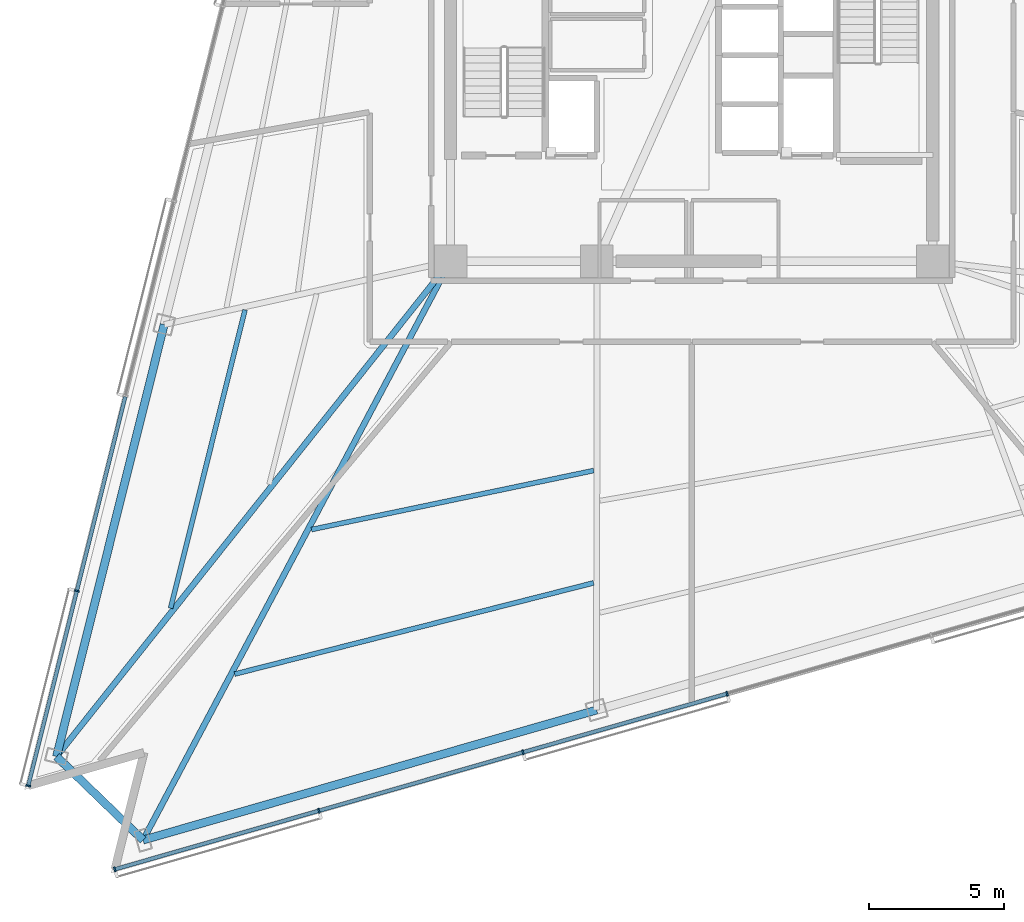
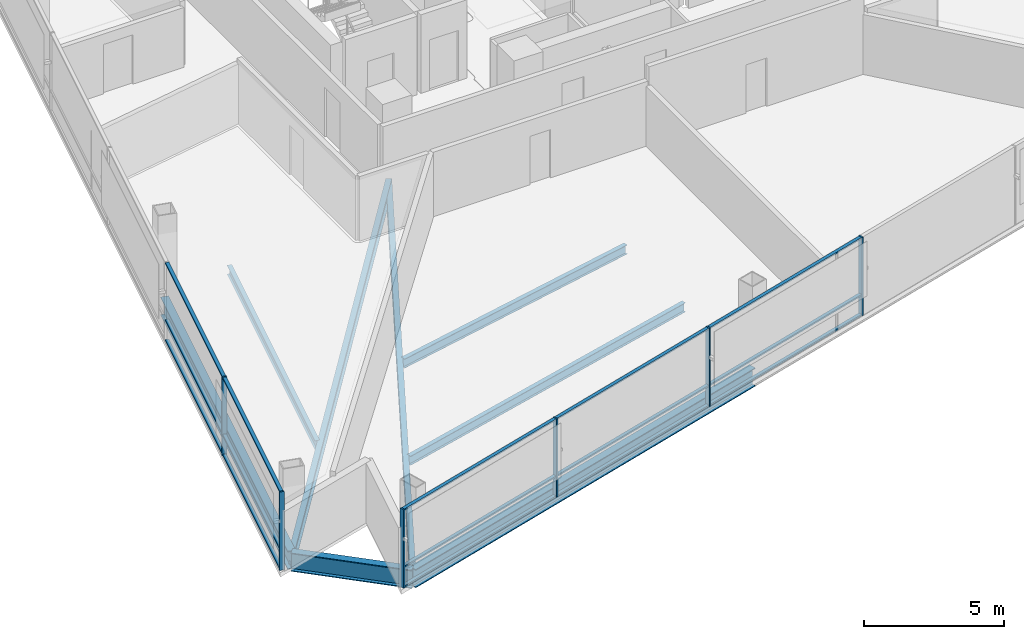
# One storey, part 2 of 19: 21 members, 8 beams, 2 elements without a shape of their own.
"""IFC4 building model written with IfcOpenShell, lengths in metres."""

from ifc_helpers import new_model, si_unit, direction, frame, origin, origin_2d, place, context, subcontext, project, spatial, rectangle, i_section, extrude, material, layer, layer_set, material_profile, profile_set, type_object, element, aggregate, save


model = new_model("IFC4")

# Units and contexts
model_context = context("Model", 3, precision=1e-05, world=origin(), true_north=direction((0.0, 1.0)))
body_context = subcontext(model_context, "Body", "Model", "MODEL_VIEW")
ifc_project = project(units=[si_unit("LENGTHUNIT", "METRE"), si_unit("AREAUNIT", "SQUARE_METRE"), si_unit("VOLUMEUNIT", "CUBIC_METRE"), si_unit("PLANEANGLEUNIT", "RADIAN"), si_unit("MASSUNIT", "GRAM", prefix="KILO")], contexts=[model_context])

# Site, building, storey
site_placement = place(None, origin())
site = spatial("IfcSite", under=ifc_project, at=site_placement, CompositionType="ELEMENT")
building_placement = place(site_placement, origin())
building = spatial("IfcBuilding", under=site, at=building_placement, Name="Tharavind Bronze Gate", CompositionType="ELEMENT")
storey_placement = place(building_placement, frame((0.0, 0.0, 89.699951171875)))
storey = spatial("IfcBuildingStorey", under=building, at=storey_placement, Name="L22", CompositionType="ELEMENT", Elevation=89.699951171875)

# Curtain wall, members
ifc_material_1 = material(Name="Anodised Bronze Aluminium", Category="aluminium")
ifc_layer = layer(ifc_material_1, 0.219970703125)
ifc_layer_set = layer_set([ifc_layer], Name="Anodised Bronze Aluminium")
curtain_wall_type = type_object("IfcCurtainWallType", Name="UNITISED CURTAIN WALL LOWER OFFICE", PredefinedType="USERDEFINED", material=ifc_layer_set)
curtain_wall_1_placement = place(storey_placement, origin())
curtain_wall_1 = element("IfcCurtainWall", 1, at=curtain_wall_1_placement, inside=storey, type_object=curtain_wall_type, Name="L22 unitised curtain wall lower office CW-L22-S1", ObjectType="UNITISED CURTAIN WALL", PredefinedType="USERDEFINED")
member_type_1 = type_object("IfcMemberType", Name="CURTAIN WALL BRONZE MULLION 65X180", PredefinedType="MULLION", material=ifc_material_1)
member_1_placement = place(storey_placement, frame((-22.695556640625, -19.76953125, 0.0), z_axis=(0.0, 0.0, 1.0), x_axis=(-0.2419218956, -0.970295726276, 0.0)))
member_1 = element("IfcMember", 2, at=member_1_placement, type_object=member_type_1, Name="CW-L22-S1 mullion 7", PredefinedType="MULLION", context=body_context, shape_type="SweptSolid", body=[
    extrude(rectangle(XDim=0.06494140625, YDim=0.179931640625, at=origin_2d()), origin(), (0.0, 0.0, 1.0), 3.409912109375),
])
member_2_placement = place(storey_placement, frame((-24.4892578125, -26.963623046875, 0.0), z_axis=(0.0, 0.0, 1.0), x_axis=(-0.2419218956, -0.970295726276, 0.0)))
member_2 = element("IfcMember", 3, at=member_2_placement, type_object=member_type_1, Name="CW-L22-S1 mullion 8", PredefinedType="MULLION", context=body_context, shape_type="SweptSolid", body=[
    extrude(rectangle(XDim=0.06494140625, YDim=0.179931640625, at=origin_2d()), origin(), (0.0, 0.0, 1.0), 3.409912109375),
])

curtain_wall_2_placement = place(storey_placement, origin())
curtain_wall_2 = element("IfcCurtainWall", 4, at=curtain_wall_2_placement, inside=storey, type_object=curtain_wall_type, Name="L22 unitised curtain wall lower office CW-L22-S2", ObjectType="UNITISED CURTAIN WALL", PredefinedType="USERDEFINED")
member_3_placement = place(storey_placement, frame((-21.29541015625, -30.0478515625, 0.0), z_axis=(0.0, 0.0, 1.0), x_axis=(0.961261695938, 0.275637355817, 0.0)))
member_3 = element("IfcMember", 5, at=member_3_placement, type_object=member_type_1, Name="CW-L22-S2 mullion 1", PredefinedType="MULLION", context=body_context, shape_type="SweptSolid", body=[
    extrude(rectangle(XDim=0.06494140625, YDim=0.179931640625, at=origin_2d()), origin(), (0.0, 0.0, 1.0), 3.409912109375),
])
member_4_placement = place(storey_placement, frame((-13.761962890625, -27.8876953125, 0.0), z_axis=(0.0, 0.0, 1.0), x_axis=(0.961261695938, 0.275637355817, 0.0)))
member_4 = element("IfcMember", 6, at=member_4_placement, type_object=member_type_1, Name="CW-L22-S2 mullion 2", PredefinedType="MULLION", context=body_context, shape_type="SweptSolid", body=[
    extrude(rectangle(XDim=0.06494140625, YDim=0.179931640625, at=origin_2d()), origin(), (0.0, 0.0, 1.0), 3.409912109375),
])
member_5_placement = place(storey_placement, frame((-6.228515625, -25.727294921875, 0.0), z_axis=(0.0, 0.0, 1.0), x_axis=(0.961261695938, 0.275637355817, 0.0)))
member_5 = element("IfcMember", 7, at=member_5_placement, type_object=member_type_1, Name="CW-L22-S2 mullion 3", PredefinedType="MULLION", context=body_context, shape_type="SweptSolid", body=[
    extrude(rectangle(XDim=0.06494140625, YDim=0.179931640625, at=origin_2d()), origin(), (0.0, 0.0, 1.0), 3.409912109375),
])
member_6_placement = place(storey_placement, frame((1.304931640625, -23.567138671875, 0.0), z_axis=(0.0, 0.0, 1.0), x_axis=(0.961261695938, 0.275637355817, 0.0)))
member_6 = element("IfcMember", 8, at=member_6_placement, type_object=member_type_1, Name="CW-L22-S2 mullion 4", PredefinedType="MULLION", context=body_context, shape_type="SweptSolid", body=[
    extrude(rectangle(XDim=0.06494140625, YDim=0.179931640625, at=origin_2d()), origin(), (0.0, 0.0, 1.0), 3.409912109375),
])

# Member
member_type_2 = type_object("IfcMemberType", Name="CURTAIN WALL BRONZE TRANSOM 65X140", PredefinedType="USERDEFINED", material=ifc_material_1)
member_7_placement = place(storey_placement, frame((-21.798828125, -16.172607421875, 0.0), z_axis=(0.0, 0.0, 1.0), x_axis=(-0.2419218956, -0.970295726276, 0.0)))
member_7 = element("IfcMember", 9, at=member_7_placement, type_object=member_type_2, Name="CW-L22-S1 transom TB6", ObjectType="TRANSOM", PredefinedType="USERDEFINED", context=body_context, shape_type="SweptSolid", body=[
    extrude(rectangle(XDim=7.361083984375, YDim=0.139892578125, at=origin_2d()), origin(), (0.0, 0.0, 1.0), 0.06494140625),
])

member_8_placement = place(storey_placement, frame((-21.798828125, -16.172607421875, 0.86767578125), z_axis=(0.0, 0.0, 1.0), x_axis=(-0.2419218956, -0.970295726276, 0.0)))
member_8 = element("IfcMember", 10, at=member_8_placement, type_object=member_type_2, Name="CW-L22-S1 transom TS6", ObjectType="TRANSOM", PredefinedType="USERDEFINED", context=body_context, shape_type="SweptSolid", body=[
    extrude(rectangle(XDim=7.361083984375, YDim=0.139892578125, at=origin_2d()), origin(), (0.0, 0.0, 1.0), 0.06494140625),
])

member_9_placement = place(storey_placement, frame((-21.798828125, -16.172607421875, 3.344970703125), z_axis=(0.0, 0.0, 1.0), x_axis=(-0.2419218956, -0.970295726276, 0.0)))
member_9 = element("IfcMember", 11, at=member_9_placement, type_object=member_type_2, Name="CW-L22-S1 transom TT6", ObjectType="TRANSOM", PredefinedType="USERDEFINED", context=body_context, shape_type="SweptSolid", body=[
    extrude(rectangle(XDim=7.361083984375, YDim=0.139892578125, at=origin_2d()), origin(), (0.0, 0.0, 1.0), 0.06494140625),
])

member_10_placement = place(storey_placement, frame((-23.592529296875, -23.36669921875, 0.0), z_axis=(0.0, 0.0, 1.0), x_axis=(-0.2419218956, -0.970295726276, 0.0)))
member_10 = element("IfcMember", 12, at=member_10_placement, type_object=member_type_2, Name="CW-L22-S1 transom TB7", ObjectType="TRANSOM", PredefinedType="USERDEFINED", context=body_context, shape_type="SweptSolid", body=[
    extrude(rectangle(XDim=7.361083984375, YDim=0.139892578125, at=origin_2d()), origin(), (0.0, 0.0, 1.0), 0.06494140625),
])

member_11_placement = place(storey_placement, frame((-23.592529296875, -23.36669921875, 0.86767578125), z_axis=(0.0, 0.0, 1.0), x_axis=(-0.2419218956, -0.970295726276, 0.0)))
member_11 = element("IfcMember", 13, at=member_11_placement, type_object=member_type_2, Name="CW-L22-S1 transom TS7", ObjectType="TRANSOM", PredefinedType="USERDEFINED", context=body_context, shape_type="SweptSolid", body=[
    extrude(rectangle(XDim=7.361083984375, YDim=0.139892578125, at=origin_2d()), origin(), (0.0, 0.0, 1.0), 0.06494140625),
])

member_12_placement = place(storey_placement, frame((-23.592529296875, -23.36669921875, 3.344970703125), z_axis=(0.0, 0.0, 1.0), x_axis=(-0.2419218956, -0.970295726276, 0.0)))
member_12 = element("IfcMember", 14, at=member_12_placement, type_object=member_type_2, Name="CW-L22-S1 transom TT7", ObjectType="TRANSOM", PredefinedType="USERDEFINED", context=body_context, shape_type="SweptSolid", body=[
    extrude(rectangle(XDim=7.361083984375, YDim=0.139892578125, at=origin_2d()), origin(), (0.0, 0.0, 1.0), 0.06494140625),
])

aggregate(curtain_wall_1, [member_1, member_2, member_7, member_8, member_9, member_10, member_11, member_12])

member_13_placement = place(storey_placement, frame((-17.52880859375, -28.9677734375, 0.0), z_axis=(0.0, 0.0, 1.0), x_axis=(0.961261695938, 0.275637355817, 0.0)))
member_13 = element("IfcMember", 15, at=member_13_placement, type_object=member_type_2, Name="CW-L22-S2 transom TB1", ObjectType="TRANSOM", PredefinedType="USERDEFINED", context=body_context, shape_type="SweptSolid", body=[
    extrude(rectangle(XDim=7.7841796875, YDim=0.139892578125, at=origin_2d()), origin(), (0.0, 0.0, 1.0), 0.06494140625),
])

member_14_placement = place(storey_placement, frame((-17.52880859375, -28.9677734375, 0.86767578125), z_axis=(0.0, 0.0, 1.0), x_axis=(0.961261695938, 0.275637355817, 0.0)))
member_14 = element("IfcMember", 16, at=member_14_placement, type_object=member_type_2, Name="CW-L22-S2 transom TS1", ObjectType="TRANSOM", PredefinedType="USERDEFINED", context=body_context, shape_type="SweptSolid", body=[
    extrude(rectangle(XDim=7.7841796875, YDim=0.139892578125, at=origin_2d()), origin(), (0.0, 0.0, 1.0), 0.06494140625),
])

member_15_placement = place(storey_placement, frame((-17.52880859375, -28.9677734375, 3.344970703125), z_axis=(0.0, 0.0, 1.0), x_axis=(0.961261695938, 0.275637355817, 0.0)))
member_15 = element("IfcMember", 17, at=member_15_placement, type_object=member_type_2, Name="CW-L22-S2 transom TT1", ObjectType="TRANSOM", PredefinedType="USERDEFINED", context=body_context, shape_type="SweptSolid", body=[
    extrude(rectangle(XDim=7.7841796875, YDim=0.139892578125, at=origin_2d()), origin(), (0.0, 0.0, 1.0), 0.06494140625),
])

member_16_placement = place(storey_placement, frame((-9.995361328125, -26.8076171875, 0.0), z_axis=(0.0, 0.0, 1.0), x_axis=(0.961261695938, 0.275637355817, 0.0)))
member_16 = element("IfcMember", 18, at=member_16_placement, type_object=member_type_2, Name="CW-L22-S2 transom TB2", ObjectType="TRANSOM", PredefinedType="USERDEFINED", context=body_context, shape_type="SweptSolid", body=[
    extrude(rectangle(XDim=7.7841796875, YDim=0.139892578125, at=origin_2d()), origin(), (0.0, 0.0, 1.0), 0.06494140625),
])

member_17_placement = place(storey_placement, frame((-9.995361328125, -26.8076171875, 0.86767578125), z_axis=(0.0, 0.0, 1.0), x_axis=(0.961261695938, 0.275637355817, 0.0)))
member_17 = element("IfcMember", 19, at=member_17_placement, type_object=member_type_2, Name="CW-L22-S2 transom TS2", ObjectType="TRANSOM", PredefinedType="USERDEFINED", context=body_context, shape_type="SweptSolid", body=[
    extrude(rectangle(XDim=7.7841796875, YDim=0.139892578125, at=origin_2d()), origin(), (0.0, 0.0, 1.0), 0.06494140625),
])

member_18_placement = place(storey_placement, frame((-9.995361328125, -26.8076171875, 3.344970703125), z_axis=(0.0, 0.0, 1.0), x_axis=(0.961261695938, 0.275637355817, 0.0)))
member_18 = element("IfcMember", 20, at=member_18_placement, type_object=member_type_2, Name="CW-L22-S2 transom TT2", ObjectType="TRANSOM", PredefinedType="USERDEFINED", context=body_context, shape_type="SweptSolid", body=[
    extrude(rectangle(XDim=7.7841796875, YDim=0.139892578125, at=origin_2d()), origin(), (0.0, 0.0, 1.0), 0.06494140625),
])

member_19_placement = place(storey_placement, frame((-2.4619140625, -24.647216796875, 0.0), z_axis=(0.0, 0.0, 1.0), x_axis=(0.961261695938, 0.275637355817, 0.0)))
member_19 = element("IfcMember", 21, at=member_19_placement, type_object=member_type_2, Name="CW-L22-S2 transom TB3", ObjectType="TRANSOM", PredefinedType="USERDEFINED", context=body_context, shape_type="SweptSolid", body=[
    extrude(rectangle(XDim=7.7841796875, YDim=0.139892578125, at=origin_2d()), origin(), (0.0, 0.0, 1.0), 0.06494140625),
])

member_20_placement = place(storey_placement, frame((-2.4619140625, -24.647216796875, 0.86767578125), z_axis=(0.0, 0.0, 1.0), x_axis=(0.961261695938, 0.275637355817, 0.0)))
member_20 = element("IfcMember", 22, at=member_20_placement, type_object=member_type_2, Name="CW-L22-S2 transom TS3", ObjectType="TRANSOM", PredefinedType="USERDEFINED", context=body_context, shape_type="SweptSolid", body=[
    extrude(rectangle(XDim=7.7841796875, YDim=0.139892578125, at=origin_2d()), origin(), (0.0, 0.0, 1.0), 0.06494140625),
])

member_21_placement = place(storey_placement, frame((-2.4619140625, -24.647216796875, 3.344970703125), z_axis=(0.0, 0.0, 1.0), x_axis=(0.961261695938, 0.275637355817, 0.0)))
member_21 = element("IfcMember", 23, at=member_21_placement, type_object=member_type_2, Name="CW-L22-S2 transom TT3", ObjectType="TRANSOM", PredefinedType="USERDEFINED", context=body_context, shape_type="SweptSolid", body=[
    extrude(rectangle(XDim=7.7841796875, YDim=0.139892578125, at=origin_2d()), origin(), (0.0, 0.0, 1.0), 0.06494140625),
])

aggregate(curtain_wall_2, [member_3, member_4, member_5, member_6, member_13, member_14, member_15, member_16, member_17, member_18, member_19, member_20, member_21])

# Beams
ifc_material_2 = material(Name="Steel S355", Category="steel")
ifc_material_profile_1 = material_profile(ifc_material_2, i_section(OverallWidth=0.219970703125, OverallDepth=0.60009765625, WebThickness=0.011962890625, FlangeThickness=0.01904296875, at=origin_2d()), Name="IPE600")
ifc_profile_set_1 = profile_set([ifc_material_profile_1], Name="Steel S355")
beam_type_1 = type_object("IfcBeamType", Name="PRIMARY GIRDER IPE600", PredefinedType="USERDEFINED", material=ifc_profile_set_1)
beam_1_placement = place(storey_placement, frame((-23.447265625, -25.884521484375, -0.489990234375), z_axis=(0.622600502265, 0.782539848557, 0.0), x_axis=(-0.782539848557, 0.622600502265, 0.0)))
element("IfcBeam", 24, at=beam_1_placement, inside=storey, type_object=beam_type_1, Name="L22 primary girder ipe600 BM-L22-RAD04", ObjectType="GIRDER", PredefinedType="USERDEFINED", context=body_context, shape_type="SweptSolid", body=[
    extrude(i_section(OverallWidth=0.219970703125, OverallDepth=0.60009765625, WebThickness=0.011962890625, FlangeThickness=0.01904296875, at=origin_2d()), origin(), (0.0, 0.0, 1.0), 23.365478515625),
])
beam_2_placement = place(storey_placement, frame((-20.25341796875, -28.96875, -0.489990234375), z_axis=(0.469200962238, 0.883091420542, 0.0), x_axis=(-0.883091420542, 0.469200962238, 0.0)))
element("IfcBeam", 25, at=beam_2_placement, inside=storey, type_object=beam_type_1, Name="L22 primary girder ipe600 BM-L22-RAD05", ObjectType="GIRDER", PredefinedType="USERDEFINED", context=body_context, shape_type="SweptSolid", body=[
    extrude(i_section(OverallWidth=0.219970703125, OverallDepth=0.60009765625, WebThickness=0.011962890625, FlangeThickness=0.01904296875, at=origin_2d()), origin(), (0.0, 0.0, 1.0), 24.197509765625),
])
ifc_material_profile_2 = material_profile(ifc_material_2, i_section(OverallWidth=0.300048828125, OverallDepth=0.800048828125, WebThickness=0.017578125, FlangeThickness=0.032958984375, at=origin_2d()), Name="HE800B")
ifc_profile_set_2 = profile_set([ifc_material_profile_2], Name="Steel S355")
beam_type_2 = type_object("IfcBeamType", Name="RING GIRDER HE800B", PredefinedType="USERDEFINED", material=ifc_profile_set_2)
beam_3_placement = place(storey_placement, frame((-19.4716796875, -9.93896484375, -0.58984375), z_axis=(-0.24191686251, -0.970296981152, 0.0), x_axis=(0.970296981152, -0.24191686251, 0.0)))
element("IfcBeam", 26, at=beam_3_placement, inside=storey, type_object=beam_type_2, Name="L22 ring girder he800b BM-L22-PRG03", ObjectType="GIRDER", PredefinedType="USERDEFINED", context=body_context, shape_type="SweptSolid", body=[
    extrude(i_section(OverallWidth=0.300048828125, OverallDepth=0.800048828125, WebThickness=0.017578125, FlangeThickness=0.032958984375, at=origin_2d()), origin(), (0.0, 0.0, 1.0), 16.43359375),
])
beam_4_placement = place(storey_placement, frame((-23.447265625, -25.884521484375, -0.58984375), z_axis=(0.719343662261, -0.694654371299, 0.0), x_axis=(0.694654371299, 0.719343662261, 0.0)))
element("IfcBeam", 27, at=beam_4_placement, inside=storey, type_object=beam_type_2, Name="L22 ring girder he800b BM-L22-PRG04", ObjectType="GIRDER", PredefinedType="USERDEFINED", context=body_context, shape_type="SweptSolid", body=[
    extrude(i_section(OverallWidth=0.300048828125, OverallDepth=0.800048828125, WebThickness=0.017578125, FlangeThickness=0.032958984375, at=origin_2d()), origin(), (0.0, 0.0, 1.0), 4.43994140625),
])
beam_5_placement = place(storey_placement, frame((-20.25341796875, -28.96875, -0.58984375), z_axis=(0.961261198388, 0.275639090974, 0.0), x_axis=(-0.275639090974, 0.961261198388, 0.0)))
element("IfcBeam", 28, at=beam_5_placement, inside=storey, type_object=beam_type_2, Name="L22 ring girder he800b BM-L22-PRG05", ObjectType="GIRDER", PredefinedType="USERDEFINED", context=body_context, shape_type="SweptSolid", body=[
    extrude(i_section(OverallWidth=0.300048828125, OverallDepth=0.800048828125, WebThickness=0.017578125, FlangeThickness=0.032958984375, at=origin_2d()), origin(), (0.0, 0.0, 1.0), 17.42041015625),
])
ifc_material_profile_3 = material_profile(ifc_material_2, i_section(OverallWidth=0.179931640625, OverallDepth=0.39990234375, WebThickness=0.008544921875, FlangeThickness=0.013427734375, at=origin_2d()), Name="IPE400")
ifc_profile_set_3 = profile_set([ifc_material_profile_3], Name="Steel S355")
beam_type_3 = type_object("IfcBeamType", Name="SECONDARY FLOOR JOIST IPE400", PredefinedType="JOIST", material=ifc_profile_set_3)
beam_6_placement = place(storey_placement, frame((-16.489501953125, -9.3955078125, -0.389892578125), z_axis=(-0.241903146974, -0.970300400641, 0.0), x_axis=(0.970300400641, -0.241903146974, 0.0)))
element("IfcBeam", 29, at=beam_6_placement, inside=storey, type_object=beam_type_3, Name="L22 secondary floor joist ipe400 BM-L22-JSTB03", PredefinedType="JOIST", context=body_context, shape_type="SweptSolid", body=[
    extrude(i_section(OverallWidth=0.179931640625, OverallDepth=0.39990234375, WebThickness=0.008544921875, FlangeThickness=0.013427734375, at=origin_2d()), origin(), (0.0, 0.0, 1.0), 11.35400390625),
])
beam_7_placement = place(storey_placement, frame((-14.035400390625, -17.50634765625, -0.389892578125), z_axis=(0.97881885556, 0.204728229614, 0.0), x_axis=(-0.204728229614, 0.97881885556, 0.0)))
element("IfcBeam", 30, at=beam_7_placement, inside=storey, type_object=beam_type_3, Name="L22 secondary floor joist ipe400 BM-L22-JSTA05", PredefinedType="JOIST", context=body_context, shape_type="SweptSolid", body=[
    extrude(i_section(OverallWidth=0.179931640625, OverallDepth=0.39990234375, WebThickness=0.008544921875, FlangeThickness=0.013427734375, at=origin_2d()), origin(), (0.0, 0.0, 1.0), 10.64306640625),
])
beam_8_placement = place(storey_placement, frame((-16.869873046875, -22.841064453125, -0.389892578125), z_axis=(0.969204659951, 0.246256628601, 0.0), x_axis=(-0.246256628601, 0.969204659951, 0.0)))
element("IfcBeam", 31, at=beam_8_placement, inside=storey, type_object=beam_type_3, Name="L22 secondary floor joist ipe400 BM-L22-JSTB05", PredefinedType="JOIST", context=body_context, shape_type="SweptSolid", body=[
    extrude(i_section(OverallWidth=0.179931640625, OverallDepth=0.39990234375, WebThickness=0.008544921875, FlangeThickness=0.013427734375, at=origin_2d()), origin(), (0.0, 0.0, 1.0), 13.67138671875),
])

save(model, "model.ifc")
